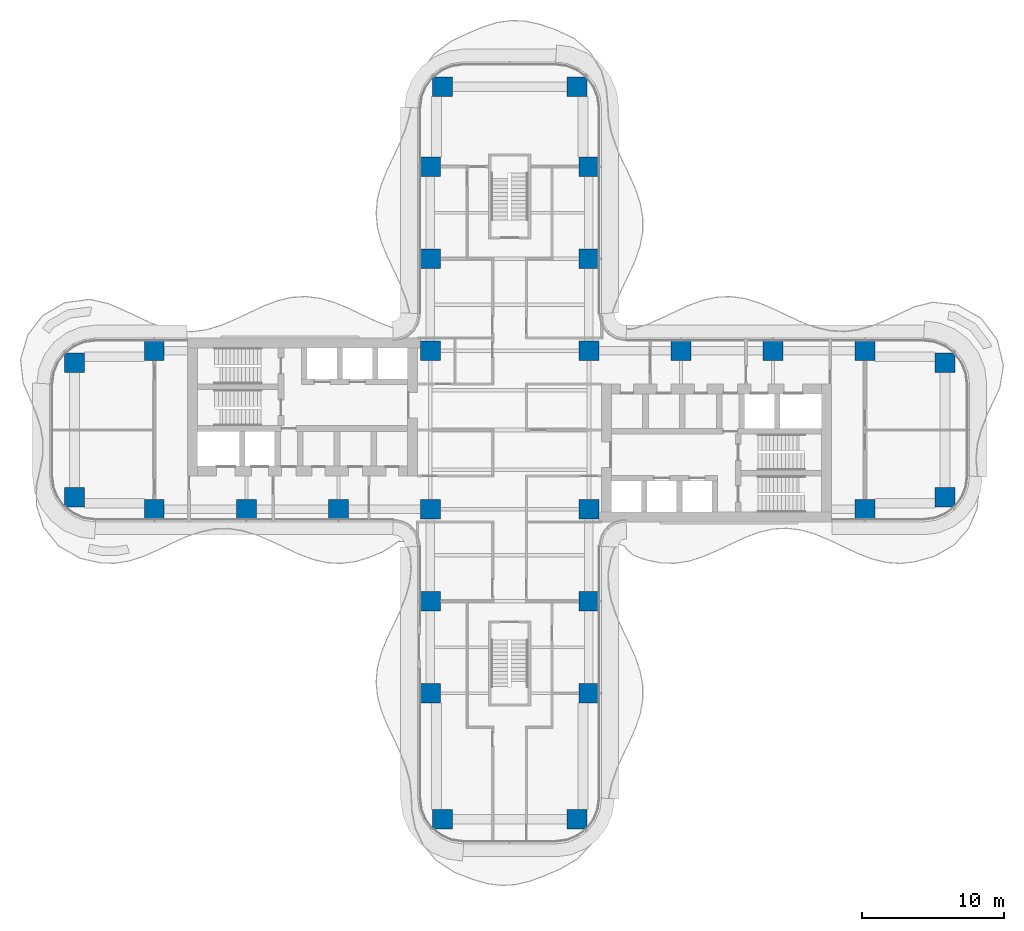
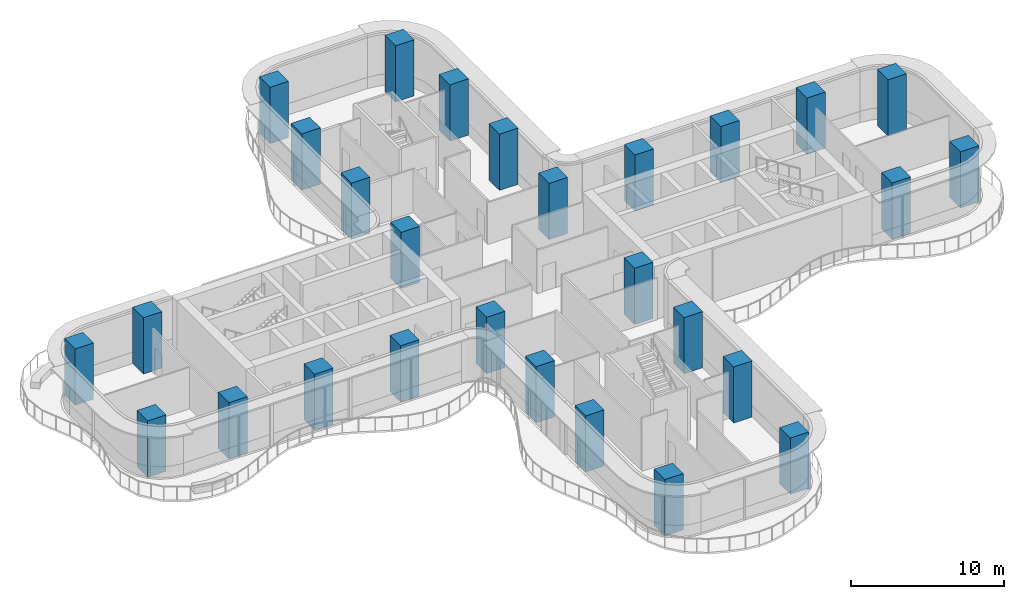
# One storey, part 1 of 22: 28 columns.
"""IFC4 building model written with IfcOpenShell, lengths in metres."""

from ifc_helpers import new_model, si_unit, direction, frame, origin, origin_2d, place, context, subcontext, project, spatial, rectangle, extrude, source, transform, mapped, material, material_profile, profile_set, type_object, element, save


model = new_model("IFC4")

# Units and contexts
model_context = context("Model", 3, precision=1e-05, world=origin(), true_north=direction((0.0, 1.0)))
body_context = subcontext(model_context, "Body", "Model", "MODEL_VIEW")
ifc_project = project(units=[si_unit("LENGTHUNIT", "METRE"), si_unit("AREAUNIT", "SQUARE_METRE"), si_unit("VOLUMEUNIT", "CUBIC_METRE"), si_unit("PLANEANGLEUNIT", "RADIAN"), si_unit("MASSUNIT", "GRAM", prefix="KILO")], contexts=[model_context])

# Site, building, storey
site_placement = place(None, origin())
site = spatial("IfcSite", under=ifc_project, at=site_placement, CompositionType="ELEMENT")
building_placement = place(site_placement, origin())
building = spatial("IfcBuilding", under=site, at=building_placement, Name="Trellis Farm Tower", CompositionType="ELEMENT")
storey_placement = place(building_placement, frame((0.0, 0.0, 65.5)))
storey = spatial("IfcBuildingStorey", under=building, at=storey_placement, Name="L13", CompositionType="ELEMENT", Elevation=65.5)

# Columns
ifc_material = material(Name="Concrete C80/95", Category="concrete")
ifc_material_profile = material_profile(ifc_material, rectangle(XDim=1.39990234375, YDim=1.39990234375, at=origin_2d()), Name="RC column 1400x1400 C80/95")
ifc_profile_set = profile_set([ifc_material_profile], Name="Concrete C80/95")
column_type = type_object("IfcColumnType", Name="RC column 1400x1400 C80/95", PredefinedType="COLUMN", material=ifc_profile_set)
shared_shape = source(origin(), body_context, "Body", "SweptSolid", [
    extrude(rectangle(XDim=1.39990234375, YDim=1.39990234375, at=origin_2d()), origin(), (0.0, 0.0, 1.0), 4.5),
])
for number, where, z_axis, x_axis, name in (
    (1, (12.10009765625, 5.60009765625, 0.0), (0.0, 0.0, 1.0), (1.0, 0.0, 0.0), "Column"),
    (2, (18.60009765625, 5.60009765625, 0.0), (0.0, 0.0, 1.0), (1.0, 0.0, 0.0), "Column"),
    (3, (25.10009765625, 5.60009765625, 0.0), (0.0, 0.0, 1.0), (1.0, 0.0, 0.0), "Column"),
    (4, (30.75, 4.75, 0.0), (0.0, 0.0, 1.0), (1.0, 0.0, 0.0), "Column"),
    (5, (25.10009765625, -5.60009765625, 0.0), (0.0, 0.0, 1.0), (1.0, 0.0, 0.0), "Column"),
    (6, (30.75, -4.75, 0.0), (0.0, 0.0, 1.0), (1.0, 0.0, 0.0), "Column"),
    (7, (-5.60009765625, 12.10009765625, 0.0), (0.0, 0.0, 1.0), (1.0, 0.0, 0.0), "Column"),
    (8, (-5.60009765625, 18.60009765625, 0.0), (0.0, 0.0, 1.0), (1.0, 0.0, 0.0), "Column"),
    (9, (-4.75, 24.25, 0.0), (0.0, 0.0, 1.0), (1.0, 0.0, 0.0), "Column"),
    (10, (5.60009765625, 12.10009765625, 0.0), (0.0, 0.0, 1.0), (1.0, 0.0, 0.0), "Column"),
    (11, (5.60009765625, 18.60009765625, 0.0), (0.0, 0.0, 1.0), (1.0, 0.0, 0.0), "Column"),
    (12, (4.75, 24.25, 0.0), (0.0, 0.0, 1.0), (1.0, 0.0, 0.0), "Column"),
    (13, (5.60009765625, 5.60009765625, 0.0), (0.0, 0.0, 1.0), (1.0, 0.0, 0.0), "Column"),
    (14, (-5.60009765625, 5.60009765625, 0.0), (0.0, 0.0, 1.0), (1.0, 0.0, 0.0), "Column"),
    (15, (5.60009765625, -5.60009765625, 0.0), (0.0, 0.0, 1.0), (1.0, 0.0, 0.0), "Column"),
    (16, (-5.60009765625, -5.60009765625, 0.0), (0.0, 0.0, 1.0), (1.0, 0.0, 0.0), "Column"),
    (17, (5.60009765625, -12.10009765625, 0.0), (0.0, 0.0, 1.0), (1.0, 0.0, 0.0), "Column"),
    (18, (5.60009765625, -18.60009765625, 0.0), (0.0, 0.0, 1.0), (1.0, 0.0, 0.0), "Column"),
    (19, (4.75, -27.5, 0.0), (0.0, 0.0, 1.0), (1.0, 0.0, 0.0), "Column"),
    (20, (-5.60009765625, -12.10009765625, 0.0), (0.0, 0.0, 1.0), (1.0, 0.0, 0.0), "Column"),
    (21, (-5.60009765625, -18.60009765625, 0.0), (0.0, 0.0, 1.0), (1.0, 0.0, 0.0), "Column"),
    (22, (-4.75, -27.5, 0.0), (0.0, 0.0, 1.0), (1.0, 0.0, 0.0), "Column"),
    (23, (-12.10009765625, -5.60009765625, 0.0), (0.0, 0.0, 1.0), (1.0, 0.0, 0.0), "Column"),
    (24, (-18.60009765625, -5.60009765625, 0.0), (0.0, 0.0, 1.0), (1.0, 0.0, 0.0), "Column"),
    (25, (-25.10009765625, -5.60009765625, 0.0), (0.0, 0.0, 1.0), (1.0, 0.0, 0.0), "Column"),
    (26, (-30.75, -4.75, 0.0), (0.0, 0.0, 1.0), (1.0, 0.0, 0.0), "Column"),
    (27, (-25.10009765625, 5.60009765625, 0.0), (0.0, 0.0, 1.0), (1.0, 0.0, 0.0), "Column"),
    (28, (-30.75, 4.75, 0.0), (0.0, 0.0, 1.0), (1.0, 0.0, 0.0), "Column"),
):
    element("IfcColumn", number, at=place(storey_placement, frame(where, z_axis=z_axis, x_axis=x_axis)), inside=storey, type_object=column_type, Name=name, PredefinedType="COLUMN", context=body_context, shape_type="MappedRepresentation", body=[
        mapped(shared_shape, transform((0.0, 0.0, 0.0))),
    ])

save(model, "model.ifc")
